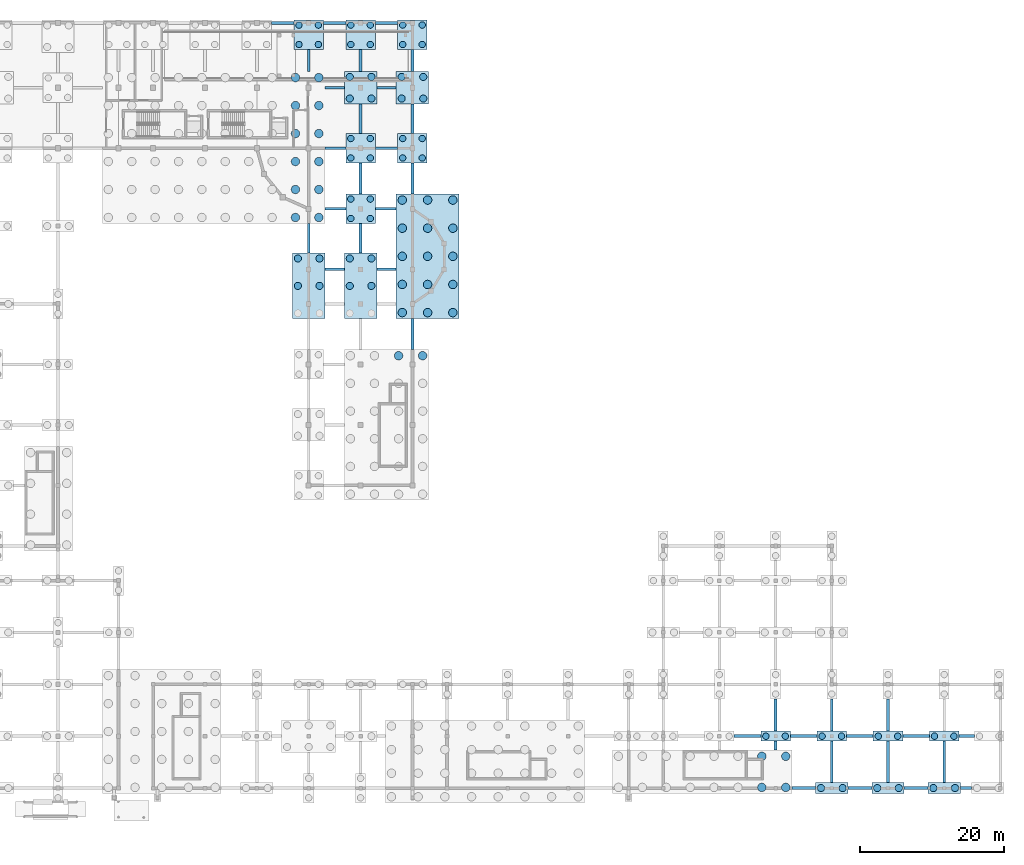
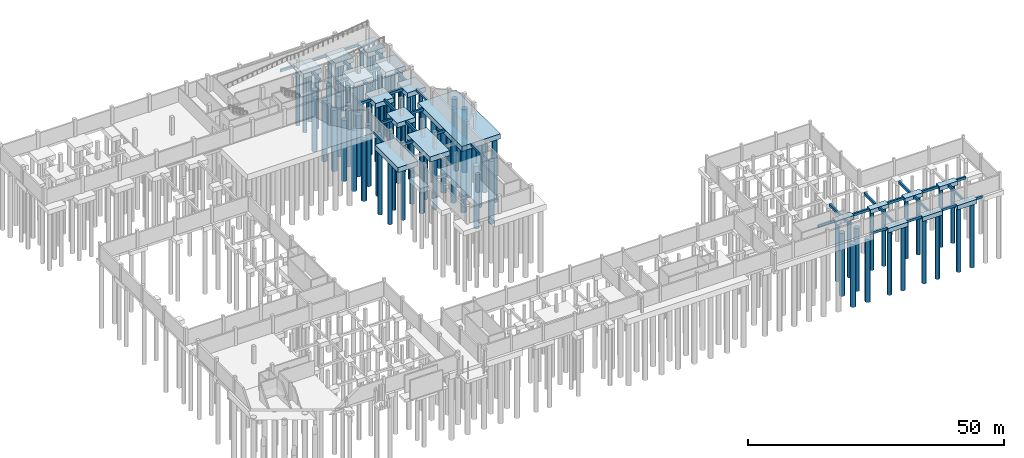
# One storey, part 6 of 22: 87 piles, 55 footings.
"""IFC4 building model written with IfcOpenShell, lengths in metres."""

from ifc_helpers import new_model, si_unit, direction, frame, origin, origin_2d, place, context, subcontext, project, spatial, rectangle, circle, extrude, material, material_profile, profile_set, type_object, element, save


model = new_model("IFC4")

# Units and contexts
model_context = context("Model", 3, precision=1e-05, world=origin(), true_north=direction((0.0, 1.0)))
body_context = subcontext(model_context, "Body", "Model", "MODEL_VIEW")
ifc_project = project(units=[si_unit("LENGTHUNIT", "METRE"), si_unit("AREAUNIT", "SQUARE_METRE"), si_unit("VOLUMEUNIT", "CUBIC_METRE"), si_unit("PLANEANGLEUNIT", "RADIAN"), si_unit("MASSUNIT", "GRAM", prefix="KILO")], contexts=[model_context])

# Site, building, storey
site_placement = place(None, origin())
site = spatial("IfcSite", under=ifc_project, at=site_placement, CompositionType="ELEMENT")
building_placement = place(site_placement, origin())
building = spatial("IfcBuilding", under=site, at=building_placement, Name="Kahlenmark Community Centre", CompositionType="ELEMENT")
storey_placement = place(building_placement, frame((0.0, 0.0, -4.199951171875)))
storey = spatial("IfcBuildingStorey", under=building, at=storey_placement, Name="B1", CompositionType="ELEMENT", Elevation=-4.199951171875)

# Footings
ifc_material = material(Name="Concrete C30/37", Category="concrete")
footing_type_1 = type_object("IfcFootingType", Name="FT-GB-400X600", PredefinedType="FOOTING_BEAM", material=ifc_material)
for number, where, z_axis, x_axis, name in (
    (1, (141.10009765625, 8.800048828125, -0.60009765625), (0.0, 0.0, 1.0), (1.0, 0.0, 0.0), "Ground tie beam X010"),
    (2, (148.89990234375, 8.800048828125, -0.60009765625), (0.0, 0.0, 1.0), (1.0, 0.0, 0.0), "Ground tie beam X011"),
    (3, (156.699951171875, 8.800048828125, -0.60009765625), (0.0, 0.0, 1.0), (1.0, 0.0, 0.0), "Ground tie beam X012"),
):
    element("IfcFooting", number, at=place(storey_placement, frame(where, z_axis=z_axis, x_axis=x_axis)), inside=storey, type_object=footing_type_1, Name=name, PredefinedType="FOOTING_BEAM", context=body_context, shape_type="SweptSolid", body=[
        extrude(rectangle(XDim=3.300048828125, YDim=0.39990234375, at=origin_2d()), origin(), (0.0, 0.0, 1.0), 0.60009765625),
    ])
footing_1_placement = place(storey_placement, frame((163.625, 8.800048828125, -0.60009765625), z_axis=(0.0, 0.0, 1.0), x_axis=(1.0, 0.0, 0.0)))
element("IfcFooting", 4, at=footing_1_placement, inside=storey, type_object=footing_type_1, Name="Ground tie beam X013", PredefinedType="FOOTING_BEAM", context=body_context, shape_type="SweptSolid", body=[
    extrude(rectangle(XDim=1.550048828125, YDim=0.39990234375, at=origin_2d()), origin(), (0.0, 0.0, 1.0), 0.60009765625),
])
for number, where, z_axis, x_axis, name in (
    (5, (133.300048828125, 16.0, -0.60009765625), (0.0, 0.0, 1.0), (1.0, 0.0, 0.0), "Ground tie beam X024"),
    (6, (141.10009765625, 16.0, -0.60009765625), (0.0, 0.0, 1.0), (1.0, 0.0, 0.0), "Ground tie beam X025"),
    (7, (148.89990234375, 16.0, -0.60009765625), (0.0, 0.0, 1.0), (1.0, 0.0, 0.0), "Ground tie beam X026"),
    (8, (156.699951171875, 16.0, -0.60009765625), (0.0, 0.0, 1.0), (1.0, 0.0, 0.0), "Ground tie beam X027"),
):
    element("IfcFooting", number, at=place(storey_placement, frame(where, z_axis=z_axis, x_axis=x_axis)), inside=storey, type_object=footing_type_1, Name=name, PredefinedType="FOOTING_BEAM", context=body_context, shape_type="SweptSolid", body=[
        extrude(rectangle(XDim=3.699951171875, YDim=0.39990234375, at=origin_2d()), origin(), (0.0, 0.0, 1.0), 0.60009765625),
    ])
footing_2_placement = place(storey_placement, frame((163.72509765625, 16.0, -0.60009765625), z_axis=(0.0, 0.0, 1.0), x_axis=(1.0, 0.0, 0.0)))
element("IfcFooting", 9, at=footing_2_placement, inside=storey, type_object=footing_type_1, Name="Ground tie beam X028", PredefinedType="FOOTING_BEAM", context=body_context, shape_type="SweptSolid", body=[
    extrude(rectangle(XDim=2.14990234375, YDim=0.39990234375, at=origin_2d()), origin(), (0.0, 0.0, 1.0), 0.60009765625),
])
for number, where, z_axis, x_axis, name in (
    (10, (76.0, 80.800048828125, -0.60009765625), (0.0, 0.0, 1.0), (1.0, 0.0, 0.0), "Ground tie beam X083"),
    (11, (83.199951171875, 80.800048828125, -0.60009765625), (0.0, 0.0, 1.0), (1.0, 0.0, 0.0), "Ground tie beam X084"),
):
    element("IfcFooting", number, at=place(storey_placement, frame(where, z_axis=z_axis, x_axis=x_axis)), inside=storey, type_object=footing_type_1, Name=name, PredefinedType="FOOTING_BEAM", context=body_context, shape_type="SweptSolid", body=[
        extrude(rectangle(XDim=2.699951171875, YDim=0.39990234375, at=origin_2d()), origin(), (0.0, 0.0, 1.0), 0.60009765625),
    ])
for number, where, z_axis, x_axis, name in (
    (12, (76.10009765625, 89.199951171875, -0.60009765625), (0.0, 0.0, 1.0), (1.0, 0.0, 0.0), "Ground tie beam X085"),
    (13, (83.10009765625, 89.199951171875, -0.60009765625), (0.0, 0.0, 1.0), (1.0, 0.0, 0.0), "Ground tie beam X086"),
    (14, (76.10009765625, 97.60009765625, -1.0), (0.0, 0.0, 1.0), (1.0, 0.0, 0.0), "Ground tie beam X092"),
):
    element("IfcFooting", number, at=place(storey_placement, frame(where, z_axis=z_axis, x_axis=x_axis)), inside=storey, type_object=footing_type_1, Name=name, PredefinedType="FOOTING_BEAM", context=body_context, shape_type="SweptSolid", body=[
        extrude(rectangle(XDim=2.89990234375, YDim=0.39990234375, at=origin_2d()), origin(), (0.0, 0.0, 1.0), 0.60009765625),
    ])
footing_3_placement = place(storey_placement, frame((83.199951171875, 97.60009765625, -1.0), z_axis=(0.0, 0.0, 1.0), x_axis=(1.0, 0.0, 0.0)))
element("IfcFooting", 15, at=footing_3_placement, inside=storey, type_object=footing_type_1, Name="Ground tie beam X093", PredefinedType="FOOTING_BEAM", context=body_context, shape_type="SweptSolid", body=[
    extrude(rectangle(XDim=3.10009765625, YDim=0.39990234375, at=origin_2d()), origin(), (0.0, 0.0, 1.0), 0.60009765625),
])
for number, where, z_axis, x_axis, name in (
    (16, (76.0, 106.0, -1.0), (0.0, 0.0, 1.0), (1.0, 0.0, 0.0), "Ground tie beam X099"),
    (17, (83.199951171875, 106.0, -1.0), (0.0, 0.0, 1.0), (1.0, 0.0, 0.0), "Ground tie beam X100"),
):
    element("IfcFooting", number, at=place(storey_placement, frame(where, z_axis=z_axis, x_axis=x_axis)), inside=storey, type_object=footing_type_1, Name=name, PredefinedType="FOOTING_BEAM", context=body_context, shape_type="SweptSolid", body=[
        extrude(rectangle(XDim=2.699951171875, YDim=0.39990234375, at=origin_2d()), origin(), (0.0, 0.0, 1.0), 0.60009765625),
    ])
for number, where, z_axis, x_axis, name in (
    (18, (68.800048828125, 115.0, -1.0), (0.0, 0.0, 1.0), (1.0, 0.0, 0.0), "Ground tie beam X108"),
    (19, (76.0, 115.0, -1.0), (0.0, 0.0, 1.0), (1.0, 0.0, 0.0), "Ground tie beam X109"),
    (20, (83.199951171875, 115.0, -1.0), (0.0, 0.0, 1.0), (1.0, 0.0, 0.0), "Ground tie beam X110"),
):
    element("IfcFooting", number, at=place(storey_placement, frame(where, z_axis=z_axis, x_axis=x_axis)), inside=storey, type_object=footing_type_1, Name=name, PredefinedType="FOOTING_BEAM", context=body_context, shape_type="SweptSolid", body=[
        extrude(rectangle(XDim=3.10009765625, YDim=0.39990234375, at=origin_2d()), origin(), (0.0, 0.0, 1.0), 0.60009765625),
    ])
footing_4_placement = place(storey_placement, frame((72.39990234375, 85.10009765625, -0.60009765625), z_axis=(0.0, 0.0, 1.0), x_axis=(1.0, 0.0, 0.0)))
element("IfcFooting", 21, at=footing_4_placement, inside=storey, type_object=footing_type_1, Name="Ground tie beam Y170", PredefinedType="FOOTING_BEAM", context=body_context, shape_type="SweptSolid", body=[
    extrude(rectangle(XDim=0.39990234375, YDim=4.10009765625, at=origin_2d()), origin(), (0.0, 0.0, 1.0), 0.60009765625),
])
footing_5_placement = place(storey_placement, frame((72.39990234375, 109.77490234375, -1.0), z_axis=(0.0, 0.0, 1.0), x_axis=(1.0, 0.0, 0.0)))
element("IfcFooting", 22, at=footing_5_placement, inside=storey, type_object=footing_type_1, Name="Ground tie beam Y171", PredefinedType="FOOTING_BEAM", context=body_context, shape_type="SweptSolid", body=[
    extrude(rectangle(XDim=0.39990234375, YDim=3.050048828125, at=origin_2d()), origin(), (0.0, 0.0, 1.0), 0.60009765625),
])
footing_6_placement = place(storey_placement, frame((79.60009765625, 85.10009765625, -0.60009765625), z_axis=(0.0, 0.0, 1.0), x_axis=(1.0, 0.0, 0.0)))
element("IfcFooting", 23, at=footing_6_placement, inside=storey, type_object=footing_type_1, Name="Ground tie beam Y175", PredefinedType="FOOTING_BEAM", context=body_context, shape_type="SweptSolid", body=[
    extrude(rectangle(XDim=0.39990234375, YDim=4.10009765625, at=origin_2d()), origin(), (0.0, 0.0, 1.0), 0.60009765625),
])
footing_7_placement = place(storey_placement, frame((79.60009765625, 93.39990234375, -0.60009765625), z_axis=(0.0, 0.0, 1.0), x_axis=(1.0, 0.0, 0.0)))
element("IfcFooting", 24, at=footing_7_placement, inside=storey, type_object=footing_type_1, Name="Ground tie beam Y176", PredefinedType="FOOTING_BEAM", context=body_context, shape_type="SweptSolid", body=[
    extrude(rectangle(XDim=0.39990234375, YDim=4.300048828125, at=origin_2d()), origin(), (0.0, 0.0, 1.0), 0.60009765625),
])
footing_8_placement = place(storey_placement, frame((79.60009765625, 101.699951171875, -1.0), z_axis=(0.0, 0.0, 1.0), x_axis=(1.0, 0.0, 0.0)))
element("IfcFooting", 25, at=footing_8_placement, inside=storey, type_object=footing_type_1, Name="Ground tie beam Y177", PredefinedType="FOOTING_BEAM", context=body_context, shape_type="SweptSolid", body=[
    extrude(rectangle(XDim=0.39990234375, YDim=4.10009765625, at=origin_2d()), origin(), (0.0, 0.0, 1.0), 0.60009765625),
])
footing_9_placement = place(storey_placement, frame((79.60009765625, 109.77490234375, -1.0), z_axis=(0.0, 0.0, 1.0), x_axis=(1.0, 0.0, 0.0)))
element("IfcFooting", 26, at=footing_9_placement, inside=storey, type_object=footing_type_1, Name="Ground tie beam Y178", PredefinedType="FOOTING_BEAM", context=body_context, shape_type="SweptSolid", body=[
    extrude(rectangle(XDim=0.39990234375, YDim=3.050048828125, at=origin_2d()), origin(), (0.0, 0.0, 1.0), 0.60009765625),
])
for number, where, z_axis, x_axis, name in (
    (27, (86.800048828125, 71.800048828125, -0.60009765625), (0.0, 0.0, 1.0), (1.0, 0.0, 0.0), "Ground tie beam Y180"),
    (28, (86.800048828125, 93.39990234375, -0.60009765625), (0.0, 0.0, 1.0), (1.0, 0.0, 0.0), "Ground tie beam Y181"),
):
    element("IfcFooting", number, at=place(storey_placement, frame(where, z_axis=z_axis, x_axis=x_axis)), inside=storey, type_object=footing_type_1, Name=name, PredefinedType="FOOTING_BEAM", context=body_context, shape_type="SweptSolid", body=[
        extrude(rectangle(XDim=0.39990234375, YDim=4.300048828125, at=origin_2d()), origin(), (0.0, 0.0, 1.0), 0.60009765625),
    ])
footing_10_placement = place(storey_placement, frame((86.800048828125, 101.699951171875, -1.0), z_axis=(0.0, 0.0, 1.0), x_axis=(1.0, 0.0, 0.0)))
element("IfcFooting", 29, at=footing_10_placement, inside=storey, type_object=footing_type_1, Name="Ground tie beam Y182", PredefinedType="FOOTING_BEAM", context=body_context, shape_type="SweptSolid", body=[
    extrude(rectangle(XDim=0.39990234375, YDim=4.10009765625, at=origin_2d()), origin(), (0.0, 0.0, 1.0), 0.60009765625),
])
footing_11_placement = place(storey_placement, frame((86.800048828125, 109.77490234375, -1.0), z_axis=(0.0, 0.0, 1.0), x_axis=(1.0, 0.0, 0.0)))
element("IfcFooting", 30, at=footing_11_placement, inside=storey, type_object=footing_type_1, Name="Ground tie beam Y183", PredefinedType="FOOTING_BEAM", context=body_context, shape_type="SweptSolid", body=[
    extrude(rectangle(XDim=0.39990234375, YDim=3.050048828125, at=origin_2d()), origin(), (0.0, 0.0, 1.0), 0.60009765625),
])
footing_12_placement = place(storey_placement, frame((137.199951171875, 14.675048828125, -0.60009765625), z_axis=(0.0, 0.0, 1.0), x_axis=(1.0, 0.0, 0.0)))
element("IfcFooting", 31, at=footing_12_placement, inside=storey, type_object=footing_type_1, Name="Ground tie beam Y199", PredefinedType="FOOTING_BEAM", context=body_context, shape_type="SweptSolid", body=[
    extrude(rectangle(XDim=0.39990234375, YDim=1.25, at=origin_2d()), origin(), (0.0, 0.0, 1.0), 0.60009765625),
])
footing_13_placement = place(storey_placement, frame((137.199951171875, 18.925048828125, -0.60009765625), z_axis=(0.0, 0.0, 1.0), x_axis=(1.0, 0.0, 0.0)))
element("IfcFooting", 32, at=footing_13_placement, inside=storey, type_object=footing_type_1, Name="Ground tie beam Y200", PredefinedType="FOOTING_BEAM", context=body_context, shape_type="SweptSolid", body=[
    extrude(rectangle(XDim=0.39990234375, YDim=4.449951171875, at=origin_2d()), origin(), (0.0, 0.0, 1.0), 0.60009765625),
])
footing_14_placement = place(storey_placement, frame((145.0, 12.425048828125, -0.60009765625), z_axis=(0.0, 0.0, 1.0), x_axis=(1.0, 0.0, 0.0)))
element("IfcFooting", 33, at=footing_14_placement, inside=storey, type_object=footing_type_1, Name="Ground tie beam Y204", PredefinedType="FOOTING_BEAM", context=body_context, shape_type="SweptSolid", body=[
    extrude(rectangle(XDim=0.39990234375, YDim=5.75, at=origin_2d()), origin(), (0.0, 0.0, 1.0), 0.60009765625),
])
footing_15_placement = place(storey_placement, frame((145.0, 18.925048828125, -0.60009765625), z_axis=(0.0, 0.0, 1.0), x_axis=(1.0, 0.0, 0.0)))
element("IfcFooting", 34, at=footing_15_placement, inside=storey, type_object=footing_type_1, Name="Ground tie beam Y205", PredefinedType="FOOTING_BEAM", context=body_context, shape_type="SweptSolid", body=[
    extrude(rectangle(XDim=0.39990234375, YDim=4.449951171875, at=origin_2d()), origin(), (0.0, 0.0, 1.0), 0.60009765625),
])
footing_16_placement = place(storey_placement, frame((152.800048828125, 12.425048828125, -0.60009765625), z_axis=(0.0, 0.0, 1.0), x_axis=(1.0, 0.0, 0.0)))
element("IfcFooting", 35, at=footing_16_placement, inside=storey, type_object=footing_type_1, Name="Ground tie beam Y209", PredefinedType="FOOTING_BEAM", context=body_context, shape_type="SweptSolid", body=[
    extrude(rectangle(XDim=0.39990234375, YDim=5.75, at=origin_2d()), origin(), (0.0, 0.0, 1.0), 0.60009765625),
])
footing_17_placement = place(storey_placement, frame((152.800048828125, 18.925048828125, -0.60009765625), z_axis=(0.0, 0.0, 1.0), x_axis=(1.0, 0.0, 0.0)))
element("IfcFooting", 36, at=footing_17_placement, inside=storey, type_object=footing_type_1, Name="Ground tie beam Y210", PredefinedType="FOOTING_BEAM", context=body_context, shape_type="SweptSolid", body=[
    extrude(rectangle(XDim=0.39990234375, YDim=4.449951171875, at=origin_2d()), origin(), (0.0, 0.0, 1.0), 0.60009765625),
])
footing_18_placement = place(storey_placement, frame((160.60009765625, 12.425048828125, -0.60009765625), z_axis=(0.0, 0.0, 1.0), x_axis=(1.0, 0.0, 0.0)))
element("IfcFooting", 37, at=footing_18_placement, inside=storey, type_object=footing_type_1, Name="Ground tie beam Y211", PredefinedType="FOOTING_BEAM", context=body_context, shape_type="SweptSolid", body=[
    extrude(rectangle(XDim=0.39990234375, YDim=5.75, at=origin_2d()), origin(), (0.0, 0.0, 1.0), 0.60009765625),
])
footing_type_2 = type_object("IfcFootingType", Name="FT-PC-410X140X95", PredefinedType="PILE_CAP", material=ifc_material)
for number, where, z_axis, x_axis, name in (
    (38, (137.199951171875, 16.0, -0.9501953125), (0.0, 0.0, 1.0), (1.0, 0.0, 0.0), "Bored pile cap FT-PC-023"),
    (39, (145.0, 16.0, -0.9501953125), (0.0, 0.0, 1.0), (1.0, 0.0, 0.0), "Bored pile cap FT-PC-024"),
    (40, (152.800048828125, 16.0, -0.9501953125), (0.0, 0.0, 1.0), (1.0, 0.0, 0.0), "Bored pile cap FT-PC-025"),
    (41, (160.60009765625, 16.0, -0.9501953125), (0.0, 0.0, 1.0), (1.0, 0.0, 0.0), "Bored pile cap FT-PC-026"),
):
    element("IfcFooting", number, at=place(storey_placement, frame(where, z_axis=z_axis, x_axis=x_axis)), inside=storey, type_object=footing_type_2, Name=name, PredefinedType="PILE_CAP", context=body_context, shape_type="SweptSolid", body=[
        extrude(rectangle(XDim=4.10009765625, YDim=1.39990234375, at=origin_2d()), origin(), (0.0, 0.0, 1.0), 0.949951171875),
    ])
footing_type_3 = type_object("IfcFootingType", Name="FT-PC-410X410X110", PredefinedType="PILE_CAP", material=ifc_material)
for number, where, z_axis, x_axis, name in (
    (42, (79.60009765625, 89.199951171875, -1.10009765625), (0.0, 0.0, 1.0), (1.0, 0.0, 0.0), "Bored pile cap FT-PC-098"),
    (43, (79.60009765625, 97.60009765625, -1.5), (0.0, 0.0, 1.0), (1.0, 0.0, 0.0), "Bored pile cap FT-PC-104"),
    (44, (86.800048828125, 97.60009765625, -1.5), (0.0, 0.0, 1.0), (1.0, 0.0, 0.0), "Bored pile cap FT-PC-105"),
    (45, (72.39990234375, 113.35009765625, -1.5), (0.0, 0.0, 1.0), (1.0, 0.0, 0.0), "Bored pile cap FT-PC-121"),
    (46, (79.60009765625, 113.35009765625, -1.5), (0.0, 0.0, 1.0), (1.0, 0.0, 0.0), "Bored pile cap FT-PC-122"),
    (47, (86.800048828125, 113.35009765625, -1.5), (0.0, 0.0, 1.0), (1.0, 0.0, 0.0), "Bored pile cap FT-PC-123"),
):
    element("IfcFooting", number, at=place(storey_placement, frame(where, z_axis=z_axis, x_axis=x_axis)), inside=storey, type_object=footing_type_3, Name=name, PredefinedType="PILE_CAP", context=body_context, shape_type="SweptSolid", body=[
        extrude(rectangle(XDim=4.10009765625, YDim=4.10009765625, at=origin_2d()), origin(), (0.0, 0.0, 1.0), 1.10009765625),
    ])
footing_type_4 = type_object("IfcFootingType", Name="FT-PC-450X150X105", PredefinedType="PILE_CAP", material=ifc_material)
for number, where, z_axis, x_axis, name in (
    (48, (145.0, 8.800048828125, -1.05029296875), (0.0, 0.0, 1.0), (1.0, 0.0, 0.0), "Bored pile cap FT-PC-011"),
    (49, (152.800048828125, 8.800048828125, -1.05029296875), (0.0, 0.0, 1.0), (1.0, 0.0, 0.0), "Bored pile cap FT-PC-012"),
    (50, (160.60009765625, 8.800048828125, -1.05029296875), (0.0, 0.0, 1.0), (1.0, 0.0, 0.0), "Bored pile cap FT-PC-013"),
):
    element("IfcFooting", number, at=place(storey_placement, frame(where, z_axis=z_axis, x_axis=x_axis)), inside=storey, type_object=footing_type_4, Name=name, PredefinedType="PILE_CAP", context=body_context, shape_type="SweptSolid", body=[
        extrude(rectangle(XDim=4.5, YDim=1.5, at=origin_2d()), origin(), (0.0, 0.0, 1.0), 1.050048828125),
    ])
footing_type_5 = type_object("IfcFootingType", Name="FT-PC-450X450X120", PredefinedType="PILE_CAP", material=ifc_material)
for number, where, z_axis, x_axis, name in (
    (51, (79.60009765625, 106.0, -1.60009765625), (0.0, 0.0, 1.0), (1.0, 0.0, 0.0), "Bored pile cap FT-PC-108"),
    (52, (86.800048828125, 106.0, -1.60009765625), (0.0, 0.0, 1.0), (1.0, 0.0, 0.0), "Bored pile cap FT-PC-109"),
):
    element("IfcFooting", number, at=place(storey_placement, frame(where, z_axis=z_axis, x_axis=x_axis)), inside=storey, type_object=footing_type_5, Name=name, PredefinedType="PILE_CAP", context=body_context, shape_type="SweptSolid", body=[
        extrude(rectangle(XDim=4.5, YDim=4.5, at=origin_2d()), origin(), (0.0, 0.0, 1.0), 1.199951171875),
    ])
footing_type_6 = type_object("IfcFootingType", Name="FT-PC-450X910X120", PredefinedType="PILE_CAP", material=ifc_material)
for number, where, z_axis, x_axis, name in (
    (53, (72.39990234375, 78.5, -1.2001953125), (0.0, 0.0, 1.0), (1.0, 0.0, 0.0), "Bored pile cap FT-PC-089"),
    (54, (79.60009765625, 78.5, -1.2001953125), (0.0, 0.0, 1.0), (1.0, 0.0, 0.0), "Bored pile cap FT-PC-090"),
):
    element("IfcFooting", number, at=place(storey_placement, frame(where, z_axis=z_axis, x_axis=x_axis)), inside=storey, type_object=footing_type_6, Name=name, PredefinedType="PILE_CAP", context=body_context, shape_type="SweptSolid", body=[
        extrude(rectangle(XDim=4.5, YDim=9.10009765625, at=origin_2d()), origin(), (0.0, 0.0, 1.0), 1.199951171875),
    ])
footing_type_7 = type_object("IfcFootingType", Name="FT-PC-870X1730X120", PredefinedType="PILE_CAP", material=ifc_material)
footing_19_placement = place(storey_placement, frame((88.89990234375, 82.60009765625, -1.2001953125), z_axis=(0.0, 0.0, 1.0), x_axis=(1.0, 0.0, 0.0)))
element("IfcFooting", 55, at=footing_19_placement, inside=storey, type_object=footing_type_7, Name="Bored pile cap FT-PC-091", PredefinedType="PILE_CAP", context=body_context, shape_type="SweptSolid", body=[
    extrude(rectangle(XDim=8.699951171875, YDim=17.300048828125, at=origin_2d()), origin(), (0.0, 0.0, 1.0), 1.199951171875),
])

# Piles
ifc_material_profile_1 = material_profile(ifc_material, circle(Radius=0.5, at=origin_2d()), Name="BORED PILE 1000")
ifc_profile_set_1 = profile_set([ifc_material_profile_1], Name="Concrete C30/37")
pile_type_1 = type_object("IfcPileType", Name="PT-BP1000", PredefinedType="BORED", material=ifc_profile_set_1)
for number, where, z_axis, x_axis, name in (
    (56, (143.5, 8.800048828125, -0.949951171875), (0.0, 0.0, -1.0), (1.0, 0.0, 0.0), "Bored pile PL-RC2-011-01"),
    (57, (146.5, 8.800048828125, -0.949951171875), (0.0, 0.0, -1.0), (1.0, 0.0, 0.0), "Bored pile PL-RC2-011-02"),
    (58, (151.300048828125, 8.800048828125, -0.949951171875), (0.0, 0.0, -1.0), (1.0, 0.0, 0.0), "Bored pile PL-RC2-012-01"),
    (59, (154.300048828125, 8.800048828125, -0.949951171875), (0.0, 0.0, -1.0), (1.0, 0.0, 0.0), "Bored pile PL-RC2-012-02"),
    (60, (159.10009765625, 8.800048828125, -0.949951171875), (0.0, 0.0, -1.0), (1.0, 0.0, 0.0), "Bored pile PL-RC2-013-01"),
    (61, (162.10009765625, 8.800048828125, -0.949951171875), (0.0, 0.0, -1.0), (1.0, 0.0, 0.0), "Bored pile PL-RC2-013-02"),
):
    element("IfcPile", number, at=place(storey_placement, frame(where, z_axis=z_axis, x_axis=x_axis)), inside=storey, type_object=pile_type_1, Name=name, PredefinedType="BORED", context=body_context, shape_type="SweptSolid", body=[
        extrude(circle(Radius=0.5, at=origin_2d()), origin(), (0.0, 0.0, 1.0), 15.35009765625),
    ])
for number, where, z_axis, x_axis, name in (
    (62, (70.89990234375, 78.5, -1.10009765625), (0.0, 0.0, -1.0), (1.0, 0.0, 0.0), "Bored pile PL-RC2-089-02"),
    (63, (70.89990234375, 82.300048828125, -1.10009765625), (0.0, 0.0, -1.0), (1.0, 0.0, 0.0), "Bored pile PL-RC2-089-03"),
    (64, (73.89990234375, 78.5, -1.10009765625), (0.0, 0.0, -1.0), (1.0, 0.0, 0.0), "Bored pile PL-RC2-089-05"),
    (65, (73.89990234375, 82.300048828125, -1.10009765625), (0.0, 0.0, -1.0), (1.0, 0.0, 0.0), "Bored pile PL-RC2-089-06"),
    (66, (78.10009765625, 78.5, -1.10009765625), (0.0, 0.0, -1.0), (1.0, 0.0, 0.0), "Bored pile PL-RC2-090-02"),
    (67, (78.10009765625, 82.300048828125, -1.10009765625), (0.0, 0.0, -1.0), (1.0, 0.0, 0.0), "Bored pile PL-RC2-090-03"),
    (68, (81.10009765625, 78.5, -1.10009765625), (0.0, 0.0, -1.0), (1.0, 0.0, 0.0), "Bored pile PL-RC2-090-05"),
    (69, (81.10009765625, 82.300048828125, -1.10009765625), (0.0, 0.0, -1.0), (1.0, 0.0, 0.0), "Bored pile PL-RC2-090-06"),
):
    element("IfcPile", number, at=place(storey_placement, frame(where, z_axis=z_axis, x_axis=x_axis)), inside=storey, type_object=pile_type_1, Name=name, PredefinedType="BORED", context=body_context, shape_type="SweptSolid", body=[
        extrude(circle(Radius=0.5, at=origin_2d()), origin(), (0.0, 0.0, 1.0), 15.199951171875),
    ])
for number, where, z_axis, x_axis, name in (
    (70, (78.10009765625, 104.5, -1.5), (0.0, 0.0, -1.0), (1.0, 0.0, 0.0), "Bored pile PL-RC2-108-01"),
    (71, (78.10009765625, 107.5, -1.5), (0.0, 0.0, -1.0), (1.0, 0.0, 0.0), "Bored pile PL-RC2-108-02"),
    (72, (81.10009765625, 104.5, -1.5), (0.0, 0.0, -1.0), (1.0, 0.0, 0.0), "Bored pile PL-RC2-108-03"),
    (73, (81.10009765625, 107.5, -1.5), (0.0, 0.0, -1.0), (1.0, 0.0, 0.0), "Bored pile PL-RC2-108-04"),
    (74, (85.300048828125, 104.5, -1.5), (0.0, 0.0, -1.0), (1.0, 0.0, 0.0), "Bored pile PL-RC2-109-01"),
    (75, (85.300048828125, 107.5, -1.5), (0.0, 0.0, -1.0), (1.0, 0.0, 0.0), "Bored pile PL-RC2-109-02"),
    (76, (88.300048828125, 104.5, -1.5), (0.0, 0.0, -1.0), (1.0, 0.0, 0.0), "Bored pile PL-RC2-109-03"),
    (77, (88.300048828125, 107.5, -1.5), (0.0, 0.0, -1.0), (1.0, 0.0, 0.0), "Bored pile PL-RC2-109-04"),
):
    element("IfcPile", number, at=place(storey_placement, frame(where, z_axis=z_axis, x_axis=x_axis)), inside=storey, type_object=pile_type_1, Name=name, PredefinedType="BORED", context=body_context, shape_type="SweptSolid", body=[
        extrude(circle(Radius=0.5, at=origin_2d()), origin(), (0.0, 0.0, 1.0), 14.800048828125),
    ])
ifc_material_profile_2 = material_profile(ifc_material, circle(Radius=0.590087890625, at=origin_2d()), Name="BORED PILE 1180")
ifc_profile_set_2 = profile_set([ifc_material_profile_2], Name="Concrete C30/37")
pile_type_2 = type_object("IfcPileType", Name="PT-BP1180", PredefinedType="BORED", material=ifc_profile_set_2)
for number, where, z_axis, x_axis, name in (
    (78, (135.29296875, 8.889892578125, -1.300048828125), (0.0, 0.0, -1.0), (1.0, 0.0, 0.0), "Bored pile PL-RC2-010-13"),
    (79, (135.29296875, 13.2099609375, -1.300048828125), (0.0, 0.0, -1.0), (1.0, 0.0, 0.0), "Bored pile PL-RC2-010-14"),
    (80, (138.610107421875, 8.889892578125, -1.300048828125), (0.0, 0.0, -1.0), (1.0, 0.0, 0.0), "Bored pile PL-RC2-010-15"),
    (81, (138.610107421875, 13.2099609375, -1.300048828125), (0.0, 0.0, -1.0), (1.0, 0.0, 0.0), "Bored pile PL-RC2-010-16"),
    (82, (84.8701171875, 68.81005859375, -1.300048828125), (0.0, 0.0, -1.0), (1.0, 0.0, 0.0), "Bored pile PL-RC2-076-18"),
    (83, (88.2099609375, 68.81005859375, -1.300048828125), (0.0, 0.0, -1.0), (1.0, 0.0, 0.0), "Bored pile PL-RC2-076-24"),
):
    element("IfcPile", number, at=place(storey_placement, frame(where, z_axis=z_axis, x_axis=x_axis)), inside=storey, type_object=pile_type_2, Name=name, PredefinedType="BORED", context=body_context, shape_type="SweptSolid", body=[
        extrude(circle(Radius=0.590087890625, at=origin_2d()), origin(), (0.0, 0.0, 1.0), 15.0),
    ])
for number, where, z_axis, x_axis, name in (
    (84, (85.389892578125, 74.7900390625, -1.10009765625), (0.0, 0.0, -1.0), (1.0, 0.0, 0.0), "Bored pile PL-RC2-091-01"),
    (85, (85.389892578125, 78.695068359375, -1.10009765625), (0.0, 0.0, -1.0), (1.0, 0.0, 0.0), "Bored pile PL-RC2-091-02"),
    (86, (85.389892578125, 82.60009765625, -1.10009765625), (0.0, 0.0, -1.0), (1.0, 0.0, 0.0), "Bored pile PL-RC2-091-03"),
    (87, (85.389892578125, 86.5048828125, -1.10009765625), (0.0, 0.0, -1.0), (1.0, 0.0, 0.0), "Bored pile PL-RC2-091-04"),
    (88, (85.389892578125, 90.409912109375, -1.10009765625), (0.0, 0.0, -1.0), (1.0, 0.0, 0.0), "Bored pile PL-RC2-091-05"),
    (89, (88.89990234375, 74.7900390625, -1.10009765625), (0.0, 0.0, -1.0), (1.0, 0.0, 0.0), "Bored pile PL-RC2-091-06"),
    (90, (88.89990234375, 78.695068359375, -1.10009765625), (0.0, 0.0, -1.0), (1.0, 0.0, 0.0), "Bored pile PL-RC2-091-07"),
    (91, (88.89990234375, 82.60009765625, -1.10009765625), (0.0, 0.0, -1.0), (1.0, 0.0, 0.0), "Bored pile PL-RC2-091-08"),
    (92, (88.89990234375, 86.5048828125, -1.10009765625), (0.0, 0.0, -1.0), (1.0, 0.0, 0.0), "Bored pile PL-RC2-091-09"),
    (93, (88.89990234375, 90.409912109375, -1.10009765625), (0.0, 0.0, -1.0), (1.0, 0.0, 0.0), "Bored pile PL-RC2-091-10"),
    (94, (92.409912109375, 74.7900390625, -1.10009765625), (0.0, 0.0, -1.0), (1.0, 0.0, 0.0), "Bored pile PL-RC2-091-11"),
    (95, (92.409912109375, 78.695068359375, -1.10009765625), (0.0, 0.0, -1.0), (1.0, 0.0, 0.0), "Bored pile PL-RC2-091-12"),
    (96, (92.409912109375, 82.60009765625, -1.10009765625), (0.0, 0.0, -1.0), (1.0, 0.0, 0.0), "Bored pile PL-RC2-091-13"),
    (97, (92.409912109375, 86.5048828125, -1.10009765625), (0.0, 0.0, -1.0), (1.0, 0.0, 0.0), "Bored pile PL-RC2-091-14"),
    (98, (92.409912109375, 90.409912109375, -1.10009765625), (0.0, 0.0, -1.0), (1.0, 0.0, 0.0), "Bored pile PL-RC2-091-15"),
):
    element("IfcPile", number, at=place(storey_placement, frame(where, z_axis=z_axis, x_axis=x_axis)), inside=storey, type_object=pile_type_2, Name=name, PredefinedType="BORED", context=body_context, shape_type="SweptSolid", body=[
        extrude(circle(Radius=0.590087890625, at=origin_2d()), origin(), (0.0, 0.0, 1.0), 15.199951171875),
    ])
for number, where, z_axis, x_axis, name in (
    (99, (70.56298828125, 87.989990234375, -1.699951171875), (0.0, 0.0, -1.0), (1.0, 0.0, 0.0), "Bored pile PL-RC2-097-49"),
    (100, (70.56298828125, 91.8740234375, -1.699951171875), (0.0, 0.0, -1.0), (1.0, 0.0, 0.0), "Bored pile PL-RC2-097-50"),
    (101, (70.56298828125, 95.758056640625, -1.699951171875), (0.0, 0.0, -1.0), (1.0, 0.0, 0.0), "Bored pile PL-RC2-097-51"),
    (102, (70.56298828125, 99.64208984375, -1.699951171875), (0.0, 0.0, -1.0), (1.0, 0.0, 0.0), "Bored pile PL-RC2-097-52"),
    (103, (70.56298828125, 103.52587890625, -1.699951171875), (0.0, 0.0, -1.0), (1.0, 0.0, 0.0), "Bored pile PL-RC2-097-53"),
    (104, (70.56298828125, 107.409912109375, -1.699951171875), (0.0, 0.0, -1.0), (1.0, 0.0, 0.0), "Bored pile PL-RC2-097-54"),
    (105, (73.81005859375, 87.989990234375, -1.699951171875), (0.0, 0.0, -1.0), (1.0, 0.0, 0.0), "Bored pile PL-RC2-097-55"),
    (106, (73.81005859375, 91.8740234375, -1.699951171875), (0.0, 0.0, -1.0), (1.0, 0.0, 0.0), "Bored pile PL-RC2-097-56"),
    (107, (73.81005859375, 95.758056640625, -1.699951171875), (0.0, 0.0, -1.0), (1.0, 0.0, 0.0), "Bored pile PL-RC2-097-57"),
    (108, (73.81005859375, 99.64208984375, -1.699951171875), (0.0, 0.0, -1.0), (1.0, 0.0, 0.0), "Bored pile PL-RC2-097-58"),
    (109, (73.81005859375, 103.52587890625, -1.699951171875), (0.0, 0.0, -1.0), (1.0, 0.0, 0.0), "Bored pile PL-RC2-097-59"),
    (110, (73.81005859375, 107.409912109375, -1.699951171875), (0.0, 0.0, -1.0), (1.0, 0.0, 0.0), "Bored pile PL-RC2-097-60"),
):
    element("IfcPile", number, at=place(storey_placement, frame(where, z_axis=z_axis, x_axis=x_axis)), inside=storey, type_object=pile_type_2, Name=name, PredefinedType="BORED", context=body_context, shape_type="SweptSolid", body=[
        extrude(circle(Radius=0.590087890625, at=origin_2d()), origin(), (0.0, 0.0, 1.0), 14.60009765625),
    ])
ifc_material_profile_3 = material_profile(ifc_material, circle(Radius=0.449951171875, at=origin_2d()), Name="BORED PILE 900")
ifc_profile_set_3 = profile_set([ifc_material_profile_3], Name="Concrete C30/37")
pile_type_3 = type_object("IfcPileType", Name="PT-BP900", PredefinedType="BORED", material=ifc_profile_set_3)
for number, where, z_axis, x_axis, name in (
    (111, (135.85009765625, 16.0, -0.85009765625), (0.0, 0.0, -1.0), (1.0, 0.0, 0.0), "Bored pile PL-RC2-023-01"),
    (112, (138.550048828125, 16.0, -0.85009765625), (0.0, 0.0, -1.0), (1.0, 0.0, 0.0), "Bored pile PL-RC2-023-02"),
    (113, (143.64990234375, 16.0, -0.85009765625), (0.0, 0.0, -1.0), (1.0, 0.0, 0.0), "Bored pile PL-RC2-024-01"),
    (114, (146.35009765625, 16.0, -0.85009765625), (0.0, 0.0, -1.0), (1.0, 0.0, 0.0), "Bored pile PL-RC2-024-02"),
    (115, (151.449951171875, 16.0, -0.85009765625), (0.0, 0.0, -1.0), (1.0, 0.0, 0.0), "Bored pile PL-RC2-025-01"),
    (116, (154.14990234375, 16.0, -0.85009765625), (0.0, 0.0, -1.0), (1.0, 0.0, 0.0), "Bored pile PL-RC2-025-02"),
    (117, (159.25, 16.0, -0.85009765625), (0.0, 0.0, -1.0), (1.0, 0.0, 0.0), "Bored pile PL-RC2-026-01"),
    (118, (161.949951171875, 16.0, -0.85009765625), (0.0, 0.0, -1.0), (1.0, 0.0, 0.0), "Bored pile PL-RC2-026-02"),
):
    element("IfcPile", number, at=place(storey_placement, frame(where, z_axis=z_axis, x_axis=x_axis)), inside=storey, type_object=pile_type_3, Name=name, PredefinedType="BORED", context=body_context, shape_type="SweptSolid", body=[
        extrude(circle(Radius=0.449951171875, at=origin_2d()), origin(), (0.0, 0.0, 1.0), 13.949951171875),
    ])
for number, where, z_axis, x_axis, name in (
    (119, (78.25, 87.85009765625, -1.0), (0.0, 0.0, -1.0), (1.0, 0.0, 0.0), "Bored pile PL-RC2-098-01"),
    (120, (78.25, 90.550048828125, -1.0), (0.0, 0.0, -1.0), (1.0, 0.0, 0.0), "Bored pile PL-RC2-098-02"),
    (121, (80.949951171875, 87.85009765625, -1.0), (0.0, 0.0, -1.0), (1.0, 0.0, 0.0), "Bored pile PL-RC2-098-03"),
    (122, (80.949951171875, 90.550048828125, -1.0), (0.0, 0.0, -1.0), (1.0, 0.0, 0.0), "Bored pile PL-RC2-098-04"),
):
    element("IfcPile", number, at=place(storey_placement, frame(where, z_axis=z_axis, x_axis=x_axis)), inside=storey, type_object=pile_type_3, Name=name, PredefinedType="BORED", context=body_context, shape_type="SweptSolid", body=[
        extrude(circle(Radius=0.449951171875, at=origin_2d()), origin(), (0.0, 0.0, 1.0), 13.800048828125),
    ])
for number, where, z_axis, x_axis, name in (
    (123, (78.25, 96.25, -1.400146484375), (0.0, 0.0, -1.0), (1.0, 0.0, 0.0), "Bored pile PL-RC2-104-01"),
    (124, (78.25, 98.949951171875, -1.400146484375), (0.0, 0.0, -1.0), (1.0, 0.0, 0.0), "Bored pile PL-RC2-104-02"),
    (125, (80.949951171875, 96.25, -1.400146484375), (0.0, 0.0, -1.0), (1.0, 0.0, 0.0), "Bored pile PL-RC2-104-03"),
    (126, (80.949951171875, 98.949951171875, -1.400146484375), (0.0, 0.0, -1.0), (1.0, 0.0, 0.0), "Bored pile PL-RC2-104-04"),
    (127, (85.449951171875, 96.25, -1.400146484375), (0.0, 0.0, -1.0), (1.0, 0.0, 0.0), "Bored pile PL-RC2-105-01"),
    (128, (85.449951171875, 98.949951171875, -1.400146484375), (0.0, 0.0, -1.0), (1.0, 0.0, 0.0), "Bored pile PL-RC2-105-02"),
    (129, (88.14990234375, 96.25, -1.400146484375), (0.0, 0.0, -1.0), (1.0, 0.0, 0.0), "Bored pile PL-RC2-105-03"),
    (130, (88.14990234375, 98.949951171875, -1.400146484375), (0.0, 0.0, -1.0), (1.0, 0.0, 0.0), "Bored pile PL-RC2-105-04"),
    (131, (71.050048828125, 112.0, -1.400146484375), (0.0, 0.0, -1.0), (1.0, 0.0, 0.0), "Bored pile PL-RC2-121-01"),
    (132, (71.050048828125, 114.699951171875, -1.400146484375), (0.0, 0.0, -1.0), (1.0, 0.0, 0.0), "Bored pile PL-RC2-121-02"),
    (133, (73.75, 112.0, -1.400146484375), (0.0, 0.0, -1.0), (1.0, 0.0, 0.0), "Bored pile PL-RC2-121-03"),
    (134, (73.75, 114.699951171875, -1.400146484375), (0.0, 0.0, -1.0), (1.0, 0.0, 0.0), "Bored pile PL-RC2-121-04"),
    (135, (78.25, 112.0, -1.400146484375), (0.0, 0.0, -1.0), (1.0, 0.0, 0.0), "Bored pile PL-RC2-122-01"),
    (136, (78.25, 114.699951171875, -1.400146484375), (0.0, 0.0, -1.0), (1.0, 0.0, 0.0), "Bored pile PL-RC2-122-02"),
    (137, (80.949951171875, 112.0, -1.400146484375), (0.0, 0.0, -1.0), (1.0, 0.0, 0.0), "Bored pile PL-RC2-122-03"),
    (138, (80.949951171875, 114.699951171875, -1.400146484375), (0.0, 0.0, -1.0), (1.0, 0.0, 0.0), "Bored pile PL-RC2-122-04"),
    (139, (85.449951171875, 112.0, -1.400146484375), (0.0, 0.0, -1.0), (1.0, 0.0, 0.0), "Bored pile PL-RC2-123-01"),
    (140, (85.449951171875, 114.699951171875, -1.400146484375), (0.0, 0.0, -1.0), (1.0, 0.0, 0.0), "Bored pile PL-RC2-123-02"),
    (141, (88.14990234375, 112.0, -1.400146484375), (0.0, 0.0, -1.0), (1.0, 0.0, 0.0), "Bored pile PL-RC2-123-03"),
    (142, (88.14990234375, 114.699951171875, -1.400146484375), (0.0, 0.0, -1.0), (1.0, 0.0, 0.0), "Bored pile PL-RC2-123-04"),
):
    element("IfcPile", number, at=place(storey_placement, frame(where, z_axis=z_axis, x_axis=x_axis)), inside=storey, type_object=pile_type_3, Name=name, PredefinedType="BORED", context=body_context, shape_type="SweptSolid", body=[
        extrude(circle(Radius=0.449951171875, at=origin_2d()), origin(), (0.0, 0.0, 1.0), 13.39990234375),
    ])

save(model, "model.ifc")
